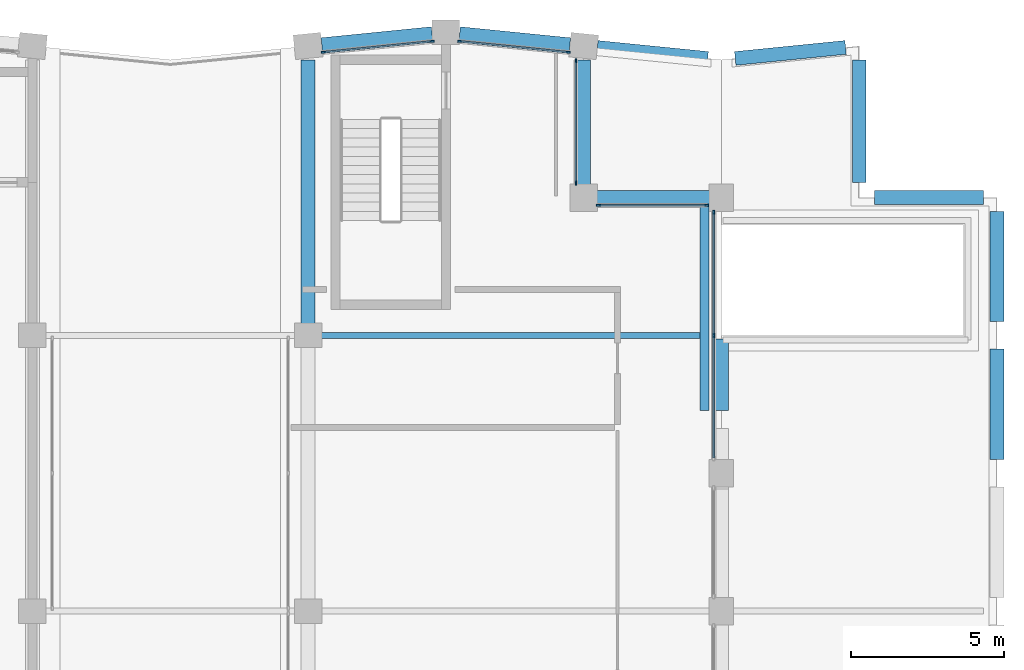
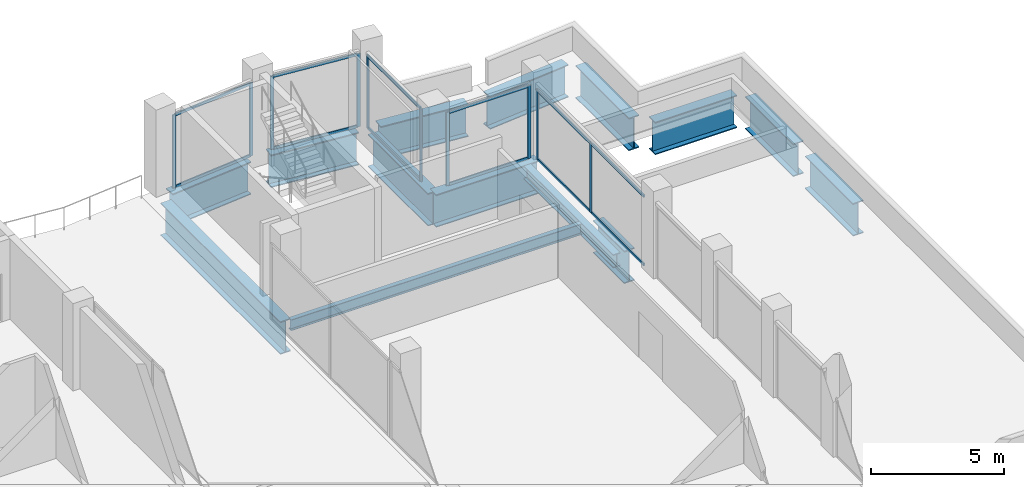
# One storey, part 9 of 14: 22 members, 14 beams, 5 elements without a shape of their own.
"""IFC4 building model written with IfcOpenShell, lengths in metres."""

from ifc_helpers import new_model, si_unit, direction, frame, origin, origin_2d, place, context, subcontext, project, spatial, rectangle, i_section, extrude, material, material_profile, profile_set, type_object, element, aggregate, save


model = new_model("IFC4")

# Units and contexts
model_context = context("Model", 3, precision=1e-05, world=origin(), true_north=direction((0.0, 1.0)))
body_context = subcontext(model_context, "Body", "Model", "MODEL_VIEW")
ifc_project = project(units=[si_unit("LENGTHUNIT", "METRE"), si_unit("AREAUNIT", "SQUARE_METRE"), si_unit("VOLUMEUNIT", "CUBIC_METRE"), si_unit("PLANEANGLEUNIT", "RADIAN"), si_unit("MASSUNIT", "GRAM", prefix="KILO")], contexts=[model_context])

# Site, building, storey
site_placement = place(None, origin())
site = spatial("IfcSite", under=ifc_project, at=site_placement, CompositionType="ELEMENT")
building_placement = place(site_placement, origin())
building = spatial("IfcBuilding", under=site, at=building_placement, Name="Brondeck Convention Tower", CompositionType="ELEMENT")
storey_placement = place(building_placement, frame((0.0, 0.0, 282.800048828125)))
storey = spatial("IfcBuildingStorey", under=building, at=storey_placement, Name="L70", CompositionType="ELEMENT", Elevation=282.800048828125)

# Curtain wall, members
ifc_material_1 = material(Name="Aluminium, bronze anodised", Category="aluminium")
curtain_wall_type = type_object("IfcCurtainWallType", Name="Crown screen curtain wall", PredefinedType="NOTDEFINED", material=ifc_material_1)
curtain_wall_1_placement = place(storey_placement, origin())
curtain_wall_1 = element("IfcCurtainWall", 1, at=curtain_wall_1_placement, inside=storey, type_object=curtain_wall_type, Name="ENV-CW4-L70-K2-K-E-06", PredefinedType="NOTDEFINED")
ifc_material_profile_1 = material_profile(ifc_material_1, rectangle(XDim=0.06005859375, YDim=0.139892578125, at=origin_2d()), Name="CW4 mullion")
ifc_profile_set_1 = profile_set([ifc_material_profile_1], Name="Aluminium, bronze anodised")
member_type_1 = type_object("IfcMemberType", Name="CW4 mullion", PredefinedType="MULLION", material=ifc_profile_set_1)
member_1_placement = place(storey_placement, frame((35.75, 58.02001953125, 0.0), z_axis=(0.0, 0.0, 1.0), x_axis=(1.0, 0.0, 0.0)))
member_1 = element("IfcMember", 2, at=member_1_placement, type_object=member_type_1, Name="CW4 mullion 1", PredefinedType="MULLION", context=body_context, shape_type="SweptSolid", body=[
    extrude(rectangle(XDim=0.06005859375, YDim=0.139892578125, at=origin_2d()), origin(), (0.0, 0.0, 1.0), 3.199951171875),
])
member_2_placement = place(storey_placement, frame((35.75, 54.0, 0.0), z_axis=(0.0, 0.0, 1.0), x_axis=(1.0, 0.0, 0.0)))
member_2 = element("IfcMember", 3, at=member_2_placement, type_object=member_type_1, Name="CW4 mullion 2", PredefinedType="MULLION", context=body_context, shape_type="SweptSolid", body=[
    extrude(rectangle(XDim=0.06005859375, YDim=0.139892578125, at=origin_2d()), origin(), (0.0, 0.0, 1.0), 3.199951171875),
])

curtain_wall_2_placement = place(storey_placement, origin())
curtain_wall_2 = element("IfcCurtainWall", 4, at=curtain_wall_2_placement, inside=storey, type_object=curtain_wall_type, Name="ENV-CW4-L70-K2-NC-KNE-01", PredefinedType="NOTDEFINED")
member_3_placement = place(storey_placement, frame((31.97998046875, 58.25, 0.0), z_axis=(0.0, 0.0, 1.0), x_axis=(0.0, 1.0, 0.0)))
member_3 = element("IfcMember", 5, at=member_3_placement, type_object=member_type_1, Name="CW4 mullion 1", PredefinedType="MULLION", context=body_context, shape_type="SweptSolid", body=[
    extrude(rectangle(XDim=0.06005859375, YDim=0.139892578125, at=origin_2d()), origin(), (0.0, 0.0, 1.0), 3.349853515625),
])
member_4_placement = place(storey_placement, frame((35.52001953125, 58.25, 0.0), z_axis=(0.0, 0.0, 1.0), x_axis=(0.0, 1.0, 0.0)))
member_4 = element("IfcMember", 6, at=member_4_placement, type_object=member_type_1, Name="CW4 mullion 2", PredefinedType="MULLION", context=body_context, shape_type="SweptSolid", body=[
    extrude(rectangle(XDim=0.06005859375, YDim=0.139892578125, at=origin_2d()), origin(), (0.0, 0.0, 1.0), 3.349853515625),
])

curtain_wall_3_placement = place(storey_placement, origin())
curtain_wall_3 = element("IfcCurtainWall", 7, at=curtain_wall_3_placement, inside=storey, type_object=curtain_wall_type, Name="ENV-CW4-L70-K2-NC-KNE-02", PredefinedType="NOTDEFINED")
member_5_placement = place(storey_placement, frame((31.25, 62.969970703125, 0.0), z_axis=(0.0, 0.0, 1.0), x_axis=(1.0, 0.0, 0.0)))
member_5 = element("IfcMember", 8, at=member_5_placement, type_object=member_type_1, Name="CW4 mullion 1", PredefinedType="MULLION", context=body_context, shape_type="SweptSolid", body=[
    extrude(rectangle(XDim=0.06005859375, YDim=0.139892578125, at=origin_2d()), origin(), (0.0, 0.0, 1.0), 3.349853515625),
])
member_6_placement = place(storey_placement, frame((31.25, 58.97998046875, 0.0), z_axis=(0.0, 0.0, 1.0), x_axis=(1.0, 0.0, 0.0)))
member_6 = element("IfcMember", 9, at=member_6_placement, type_object=member_type_1, Name="CW4 mullion 2", PredefinedType="MULLION", context=body_context, shape_type="SweptSolid", body=[
    extrude(rectangle(XDim=0.06005859375, YDim=0.139892578125, at=origin_2d()), origin(), (0.0, 0.0, 1.0), 3.349853515625),
])

curtain_wall_4_placement = place(storey_placement, origin())
curtain_wall_4 = element("IfcCurtainWall", 10, at=curtain_wall_4_placement, inside=storey, type_object=curtain_wall_type, Name="ENV-CW4-L70-K2-A-N-06", PredefinedType="NOTDEFINED")
member_7_placement = place(storey_placement, frame((27.45263671875, 63.603515625, 0.0), z_axis=(0.0, 0.0, 1.0), x_axis=(0.099517385048, 0.995035823513, 0.0)))
member_7 = element("IfcMember", 11, at=member_7_placement, type_object=member_type_1, Name="CW4 mullion 1", PredefinedType="MULLION", context=body_context, shape_type="SweptSolid", body=[
    extrude(rectangle(XDim=0.06005859375, YDim=0.139892578125, at=origin_2d()), origin(), (0.0, 0.0, 1.0), 3.349853515625),
])
member_8_placement = place(storey_placement, frame((30.99755859375, 63.2490234375, 0.0), z_axis=(0.0, 0.0, 1.0), x_axis=(0.099517385048, 0.995035823513, 0.0)))
member_8 = element("IfcMember", 12, at=member_8_placement, type_object=member_type_1, Name="CW4 mullion 2", PredefinedType="MULLION", context=body_context, shape_type="SweptSolid", body=[
    extrude(rectangle(XDim=0.06005859375, YDim=0.139892578125, at=origin_2d()), origin(), (0.0, 0.0, 1.0), 3.349853515625),
])

curtain_wall_5_placement = place(storey_placement, origin())
curtain_wall_5 = element("IfcCurtainWall", 13, at=curtain_wall_5_placement, inside=storey, type_object=curtain_wall_type, Name="ENV-CW4-L70-K2-A-N-05", PredefinedType="NOTDEFINED")
member_9_placement = place(storey_placement, frame((23.00244140625, 63.2490234375, 0.0), z_axis=(0.0, 0.0, 1.0), x_axis=(-0.099517385048, 0.995035823513, 0.0)))
member_9 = element("IfcMember", 14, at=member_9_placement, type_object=member_type_1, Name="CW4 mullion 1", PredefinedType="MULLION", context=body_context, shape_type="SweptSolid", body=[
    extrude(rectangle(XDim=0.06005859375, YDim=0.139892578125, at=origin_2d()), origin(), (0.0, 0.0, 1.0), 3.349853515625),
])
member_10_placement = place(storey_placement, frame((26.54736328125, 63.603515625, 0.0), z_axis=(0.0, 0.0, 1.0), x_axis=(-0.099517385048, 0.995035823513, 0.0)))
member_10 = element("IfcMember", 15, at=member_10_placement, type_object=member_type_1, Name="CW4 mullion 2", PredefinedType="MULLION", context=body_context, shape_type="SweptSolid", body=[
    extrude(rectangle(XDim=0.06005859375, YDim=0.139892578125, at=origin_2d()), origin(), (0.0, 0.0, 1.0), 3.349853515625),
])

# Member
ifc_material_profile_2 = material_profile(ifc_material_1, rectangle(XDim=0.06005859375, YDim=0.1201171875, at=origin_2d()), Name="CW4 transom")
ifc_profile_set_2 = profile_set([ifc_material_profile_2], Name="Aluminium, bronze anodised")
member_type_2 = type_object("IfcMemberType", Name="CW4 transom", PredefinedType="USERDEFINED", material=ifc_profile_set_2)
member_11_placement = place(storey_placement, frame((35.75, 57.989990234375, 0.030029296875), z_axis=(0.0, -1.0, 0.0), x_axis=(1.0, 0.0, 0.0)))
member_11 = element("IfcMember", 16, at=member_11_placement, type_object=member_type_2, Name="CW4 transom 1.1", ObjectType="TRANSOM", PredefinedType="USERDEFINED", context=body_context, shape_type="SweptSolid", body=[
    extrude(rectangle(XDim=0.06005859375, YDim=0.1201171875, at=origin_2d()), origin(), (0.0, 0.0, 1.0), 3.9599609375),
])

member_12_placement = place(storey_placement, frame((35.75, 57.989990234375, 3.169921875), z_axis=(0.0, -1.0, 0.0), x_axis=(1.0, 0.0, 0.0)))
member_12 = element("IfcMember", 17, at=member_12_placement, type_object=member_type_2, Name="CW4 transom 1.2", ObjectType="TRANSOM", PredefinedType="USERDEFINED", context=body_context, shape_type="SweptSolid", body=[
    extrude(rectangle(XDim=0.06005859375, YDim=0.1201171875, at=origin_2d()), origin(), (0.0, 0.0, 1.0), 3.9599609375),
])

member_13_placement = place(storey_placement, frame((35.75, 53.969970703125, 0.030029296875), z_axis=(0.0, -1.0, 0.0), x_axis=(1.0, 0.0, 0.0)))
member_13 = element("IfcMember", 18, at=member_13_placement, type_object=member_type_2, Name="CW4 transom 2.1", ObjectType="TRANSOM", PredefinedType="USERDEFINED", context=body_context, shape_type="SweptSolid", body=[
    extrude(rectangle(XDim=0.06005859375, YDim=0.1201171875, at=origin_2d()), origin(), (0.0, 0.0, 1.0), 3.9599609375),
])

member_14_placement = place(storey_placement, frame((35.75, 53.969970703125, 3.169921875), z_axis=(0.0, -1.0, 0.0), x_axis=(1.0, 0.0, 0.0)))
member_14 = element("IfcMember", 19, at=member_14_placement, type_object=member_type_2, Name="CW4 transom 2.2", ObjectType="TRANSOM", PredefinedType="USERDEFINED", context=body_context, shape_type="SweptSolid", body=[
    extrude(rectangle(XDim=0.06005859375, YDim=0.1201171875, at=origin_2d()), origin(), (0.0, 0.0, 1.0), 3.9599609375),
])

aggregate(curtain_wall_1, [member_1, member_2, member_11, member_12, member_13, member_14])

member_15_placement = place(storey_placement, frame((32.010009765625, 58.25, 0.030029296875), z_axis=(1.0, 0.0, 0.0), x_axis=(0.0, 1.0, 0.0)))
member_15 = element("IfcMember", 20, at=member_15_placement, type_object=member_type_2, Name="CW4 transom 1.1", ObjectType="TRANSOM", PredefinedType="USERDEFINED", context=body_context, shape_type="SweptSolid", body=[
    extrude(rectangle(XDim=0.06005859375, YDim=0.1201171875, at=origin_2d()), origin(), (0.0, 0.0, 1.0), 3.47998046875),
])

member_16_placement = place(storey_placement, frame((32.010009765625, 58.25, 3.320068359375), z_axis=(1.0, 0.0, 0.0), x_axis=(0.0, 1.0, 0.0)))
member_16 = element("IfcMember", 21, at=member_16_placement, type_object=member_type_2, Name="CW4 transom 1.2", ObjectType="TRANSOM", PredefinedType="USERDEFINED", context=body_context, shape_type="SweptSolid", body=[
    extrude(rectangle(XDim=0.06005859375, YDim=0.1201171875, at=origin_2d()), origin(), (0.0, 0.0, 1.0), 3.47998046875),
])

aggregate(curtain_wall_2, [member_3, member_4, member_15, member_16])

member_17_placement = place(storey_placement, frame((31.25, 62.93994140625, 0.030029296875), z_axis=(0.0, -1.0, 0.0), x_axis=(1.0, 0.0, 0.0)))
member_17 = element("IfcMember", 22, at=member_17_placement, type_object=member_type_2, Name="CW4 transom 1.1", ObjectType="TRANSOM", PredefinedType="USERDEFINED", context=body_context, shape_type="SweptSolid", body=[
    extrude(rectangle(XDim=0.06005859375, YDim=0.1201171875, at=origin_2d()), origin(), (0.0, 0.0, 1.0), 3.929931640625),
])

member_18_placement = place(storey_placement, frame((31.25, 62.93994140625, 3.320068359375), z_axis=(0.0, -1.0, 0.0), x_axis=(1.0, 0.0, 0.0)))
member_18 = element("IfcMember", 23, at=member_18_placement, type_object=member_type_2, Name="CW4 transom 1.2", ObjectType="TRANSOM", PredefinedType="USERDEFINED", context=body_context, shape_type="SweptSolid", body=[
    extrude(rectangle(XDim=0.06005859375, YDim=0.1201171875, at=origin_2d()), origin(), (0.0, 0.0, 1.0), 3.929931640625),
])

aggregate(curtain_wall_3, [member_5, member_6, member_17, member_18])

member_19_placement = place(storey_placement, frame((27.482666015625, 63.6005859375, 0.030029296875), z_axis=(0.995033738887, -0.099538226209, 0.0), x_axis=(0.099538226209, 0.995033738887, 0.0)))
member_19 = element("IfcMember", 24, at=member_19_placement, type_object=member_type_2, Name="CW4 transom 1.1", ObjectType="TRANSOM", PredefinedType="USERDEFINED", context=body_context, shape_type="SweptSolid", body=[
    extrude(rectangle(XDim=0.06005859375, YDim=0.1201171875, at=origin_2d()), origin(), (0.0, 0.0, 1.0), 3.50244140625),
])

member_20_placement = place(storey_placement, frame((27.482666015625, 63.6005859375, 3.320068359375), z_axis=(0.995033738887, -0.099538226209, 0.0), x_axis=(0.099538226209, 0.995033738887, 0.0)))
member_20 = element("IfcMember", 25, at=member_20_placement, type_object=member_type_2, Name="CW4 transom 1.2", ObjectType="TRANSOM", PredefinedType="USERDEFINED", context=body_context, shape_type="SweptSolid", body=[
    extrude(rectangle(XDim=0.06005859375, YDim=0.1201171875, at=origin_2d()), origin(), (0.0, 0.0, 1.0), 3.50244140625),
])

aggregate(curtain_wall_4, [member_7, member_8, member_19, member_20])

member_21_placement = place(storey_placement, frame((23.0322265625, 63.251953125, 0.030029296875), z_axis=(0.995033738887, 0.099538226209, 0.0), x_axis=(-0.099538226209, 0.995033738887, 0.0)))
member_21 = element("IfcMember", 26, at=member_21_placement, type_object=member_type_2, Name="CW4 transom 1.1", ObjectType="TRANSOM", PredefinedType="USERDEFINED", context=body_context, shape_type="SweptSolid", body=[
    extrude(rectangle(XDim=0.06005859375, YDim=0.1201171875, at=origin_2d()), origin(), (0.0, 0.0, 1.0), 3.50244140625),
])

member_22_placement = place(storey_placement, frame((23.0322265625, 63.251953125, 3.320068359375), z_axis=(0.995033738887, 0.099538226209, 0.0), x_axis=(-0.099538226209, 0.995033738887, 0.0)))
member_22 = element("IfcMember", 27, at=member_22_placement, type_object=member_type_2, Name="CW4 transom 1.2", ObjectType="TRANSOM", PredefinedType="USERDEFINED", context=body_context, shape_type="SweptSolid", body=[
    extrude(rectangle(XDim=0.06005859375, YDim=0.1201171875, at=origin_2d()), origin(), (0.0, 0.0, 1.0), 3.50244140625),
])

aggregate(curtain_wall_5, [member_9, member_10, member_21, member_22])

# Beams
ifc_material_2 = material(Name="Steel S355", Category="steel")
ifc_material_profile_3 = material_profile(ifc_material_2, i_section(OverallWidth=0.199951171875, OverallDepth=0.5, WebThickness=0.01025390625, FlangeThickness=0.01611328125, FilletRadius=0.02099609375, at=origin_2d()), Name="IPE 500")
ifc_profile_set_3 = profile_set([ifc_material_profile_3], Name="Steel S355")
beam_type_1 = type_object("IfcBeamType", Name="Crown frame Floor beam IPE 500", PredefinedType="BEAM", material=ifc_profile_set_3)
beam_1_placement = place(storey_placement, frame((22.695068359375, 54.0, -0.550048828125), z_axis=(1.0, 0.0, 0.0), x_axis=(0.0, 1.0, 0.0)))
element("IfcBeam", 28, at=beam_1_placement, inside=storey, type_object=beam_type_1, Name="STR-FB-L70K2-003", PredefinedType="BEAM", context=body_context, shape_type="SweptSolid", body=[
    extrude(i_section(OverallWidth=0.199951171875, OverallDepth=0.5, WebThickness=0.01025390625, FlangeThickness=0.01611328125, FilletRadius=0.02099609375, at=origin_2d()), origin(), (0.0, 0.0, 1.0), 12.60498046875),
])
ifc_material_profile_4 = material_profile(ifc_material_2, i_section(OverallWidth=0.300048828125, OverallDepth=0.60009765625, WebThickness=0.015380859375, FlangeThickness=0.030029296875, FilletRadius=0.027099609375, at=origin_2d()), Name="HEB 600")
ifc_profile_set_4 = profile_set([ifc_material_profile_4], Name="Steel S355")
beam_type_2 = type_object("IfcBeamType", Name="Crown frame Girder HEB 600", PredefinedType="BEAM", material=ifc_profile_set_4)
beam_2_placement = place(storey_placement, frame((35.449951171875, 51.550048828125, -0.60009765625), z_axis=(0.0, 1.0, 0.0), x_axis=(-1.0, 0.0, 0.0)))
element("IfcBeam", 29, at=beam_2_placement, inside=storey, type_object=beam_type_2, Name="STR-GR-L70K2-001", PredefinedType="BEAM", context=body_context, shape_type="SweptSolid", body=[
    extrude(i_section(OverallWidth=0.300048828125, OverallDepth=0.60009765625, WebThickness=0.015380859375, FlangeThickness=0.030029296875, FilletRadius=0.027099609375, at=origin_2d()), origin(), (0.0, 0.0, 1.0), 6.724853515625),
])
ifc_material_3 = material(Name="Steel S460", Category="steel")
ifc_material_profile_5 = material_profile(ifc_material_3, i_section(OverallWidth=0.449951171875, OverallDepth=1.5, WebThickness=0.02490234375, FlangeThickness=0.044921875, at=origin_2d()), Name="PG 1500x450")
ifc_profile_set_5 = profile_set([ifc_material_profile_5], Name="Steel S460")
beam_type_3 = type_object("IfcBeamType", Name="Crown frame Transfer girder PG 1500x450", PredefinedType="BEAM", material=ifc_profile_set_5)
beam_3_placement = place(storey_placement, frame((36.0, 51.550048828125, -1.050048828125), z_axis=(0.0, 1.0, 0.0), x_axis=(-1.0, 0.0, 0.0)))
element("IfcBeam", 30, at=beam_3_placement, inside=storey, type_object=beam_type_3, Name="Crown transfer girder PG-L70K2-12", PredefinedType="BEAM", context=body_context, shape_type="SweptSolid", body=[
    extrude(i_section(OverallWidth=0.449951171875, OverallDepth=1.5, WebThickness=0.02490234375, FlangeThickness=0.044921875, at=origin_2d()), origin(), (0.0, 0.0, 1.0), 2.329833984375),
])
beam_4_placement = place(storey_placement, frame((36.0, 58.5, -1.050048828125), z_axis=(-1.0, 0.0, 0.0), x_axis=(0.0, -1.0, 0.0)))
element("IfcBeam", 31, at=beam_4_placement, inside=storey, type_object=beam_type_3, Name="Crown transfer girder PG-L70K2-13", PredefinedType="BEAM", context=body_context, shape_type="SweptSolid", body=[
    extrude(i_section(OverallWidth=0.449951171875, OverallDepth=1.5, WebThickness=0.02490234375, FlangeThickness=0.044921875, at=origin_2d()), origin(), (0.0, 0.0, 1.0), 4.5),
])
beam_5_placement = place(storey_placement, frame((31.5, 58.5, -1.050048828125), z_axis=(0.0, 1.0, 0.0), x_axis=(-1.0, 0.0, 0.0)))
element("IfcBeam", 32, at=beam_5_placement, inside=storey, type_object=beam_type_3, Name="Crown transfer girder PG-L70K2-14", PredefinedType="BEAM", context=body_context, shape_type="SweptSolid", body=[
    extrude(i_section(OverallWidth=0.449951171875, OverallDepth=1.5, WebThickness=0.02490234375, FlangeThickness=0.044921875, at=origin_2d()), origin(), (0.0, 0.0, 1.0), 4.497802734375),
])
for number, where, z_axis, x_axis, name in (
    (33, (31.05224609375, 63.494873046875, -1.050048828125), (-0.995040528141, 0.099470334057, 0.0), (-0.099470334057, -0.995040528141, 0.0), "Crown transfer girder PG-L70K2-15"),
    (34, (26.550048828125, 63.85498046875, -1.050048828125), (-0.995040528141, -0.099470334057, 0.0), (0.099470334057, -0.995040528141, 0.0), "Crown transfer girder PG-L70K2-16"),
):
    element("IfcBeam", number, at=place(storey_placement, frame(where, z_axis=z_axis, x_axis=x_axis)), inside=storey, type_object=beam_type_3, Name=name, PredefinedType="BEAM", context=body_context, shape_type="SweptSolid", body=[
        extrude(i_section(OverallWidth=0.449951171875, OverallDepth=1.5, WebThickness=0.02490234375, FlangeThickness=0.044921875, at=origin_2d()), origin(), (0.0, 0.0, 1.0), 3.620361328125),
    ])
beam_6_placement = place(storey_placement, frame((22.5, 62.997802734375, -1.050048828125), z_axis=(0.0, -1.0, 0.0), x_axis=(1.0, 0.0, 0.0)))
element("IfcBeam", 35, at=beam_6_placement, inside=storey, type_object=beam_type_3, Name="Crown transfer girder PG-L70K2-17", PredefinedType="BEAM", context=body_context, shape_type="SweptSolid", body=[
    extrude(i_section(OverallWidth=0.449951171875, OverallDepth=1.5, WebThickness=0.02490234375, FlangeThickness=0.044921875, at=origin_2d()), origin(), (0.0, 0.0, 1.0), 8.997802734375),
])
beam_7_placement = place(storey_placement, frame((36.449951171875, 63.044921875, -1.050048828125), z_axis=(0.995033851182, 0.099537103649, 0.0), x_axis=(-0.099537103649, 0.995033851182, 0.0)))
element("IfcBeam", 36, at=beam_7_placement, inside=storey, type_object=beam_type_3, Name="Crown transfer girder PG-L70-S4-A-1", PredefinedType="BEAM", context=body_context, shape_type="SweptSolid", body=[
    extrude(i_section(OverallWidth=0.449951171875, OverallDepth=1.5, WebThickness=0.02490234375, FlangeThickness=0.044921875, at=origin_2d()), origin(), (0.0, 0.0, 1.0), 3.620361328125),
])
beam_8_placement = place(storey_placement, frame((40.5, 62.997802734375, -1.050048828125), z_axis=(0.0, -1.0, 0.0), x_axis=(1.0, 0.0, 0.0)))
element("IfcBeam", 37, at=beam_8_placement, inside=storey, type_object=beam_type_3, Name="Crown transfer girder PG-L70-S4-A-2", PredefinedType="BEAM", context=body_context, shape_type="SweptSolid", body=[
    extrude(i_section(OverallWidth=0.449951171875, OverallDepth=1.5, WebThickness=0.02490234375, FlangeThickness=0.044921875, at=origin_2d()), origin(), (0.0, 0.0, 1.0), 3.997802734375),
])
beam_9_placement = place(storey_placement, frame((41.0, 58.5, -1.050048828125), z_axis=(1.0, 0.0, 0.0), x_axis=(0.0, 1.0, 0.0)))
element("IfcBeam", 38, at=beam_9_placement, inside=storey, type_object=beam_type_3, Name="Crown transfer girder PG-L70-S4-A-3", PredefinedType="BEAM", context=body_context, shape_type="SweptSolid", body=[
    extrude(i_section(OverallWidth=0.449951171875, OverallDepth=1.5, WebThickness=0.02490234375, FlangeThickness=0.044921875, at=origin_2d()), origin(), (0.0, 0.0, 1.0), 3.550048828125),
])
for number, where, z_axis, x_axis, name in (
    (39, (45.0, 58.050048828125, -1.050048828125), (0.0, -1.0, 0.0), (1.0, 0.0, 0.0), "Crown transfer girder PG-L70-S4-A-4"),
    (40, (45.0, 53.550048828125, -1.050048828125), (0.0, -1.0, 0.0), (1.0, 0.0, 0.0), "Crown transfer girder PG-L70-S4-A-5"),
):
    element("IfcBeam", number, at=place(storey_placement, frame(where, z_axis=z_axis, x_axis=x_axis)), inside=storey, type_object=beam_type_3, Name=name, PredefinedType="BEAM", context=body_context, shape_type="SweptSolid", body=[
        extrude(i_section(OverallWidth=0.449951171875, OverallDepth=1.5, WebThickness=0.02490234375, FlangeThickness=0.044921875, at=origin_2d()), origin(), (0.0, 0.0, 1.0), 3.60009765625),
    ])
beam_10_placement = place(storey_placement, frame((35.550048828125, 63.044921875, -1.050048828125), z_axis=(-0.995033851182, 0.099537103649, 0.0), x_axis=(-0.099537103649, -0.995033851182, 0.0)))
element("IfcBeam", 41, at=beam_10_placement, inside=storey, type_object=beam_type_3, Name="Crown transfer girder PG-L70-S4-C2-1", PredefinedType="BEAM", context=body_context, shape_type="SweptSolid", body=[
    extrude(i_section(OverallWidth=0.449951171875, OverallDepth=1.5, WebThickness=0.02490234375, FlangeThickness=0.044921875, at=origin_2d()), origin(), (0.0, 0.0, 1.0), 3.620361328125),
])

save(model, "model.ifc")
